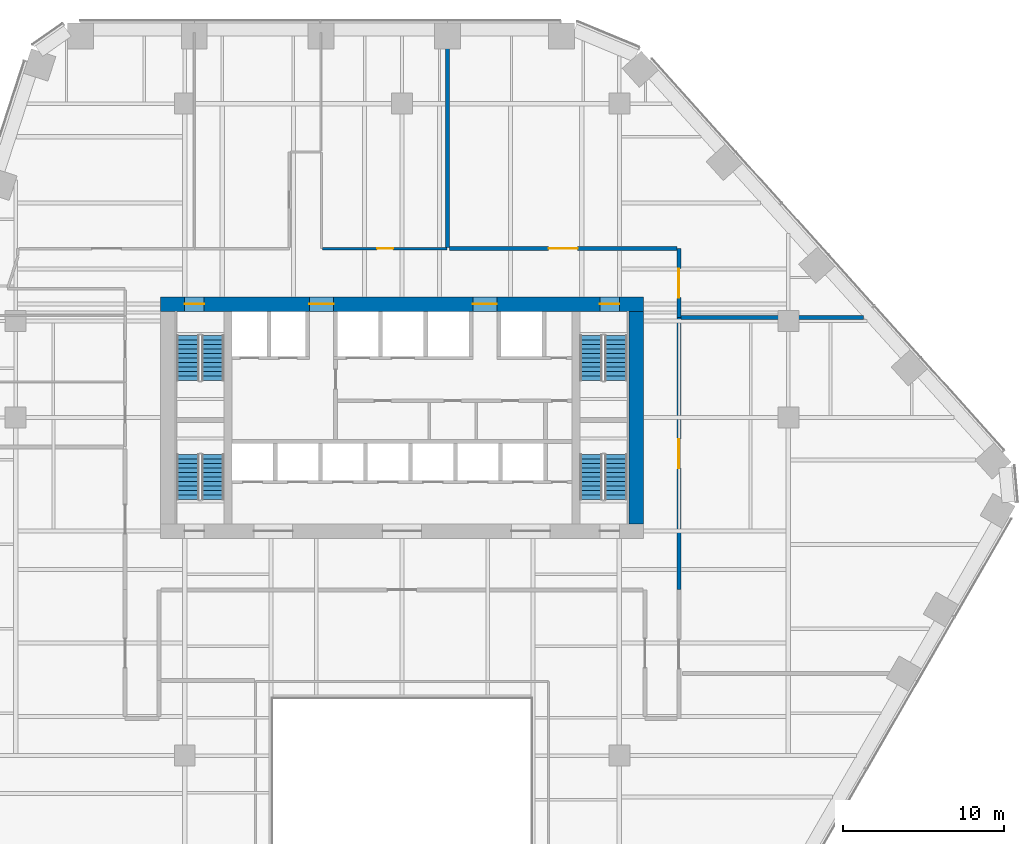
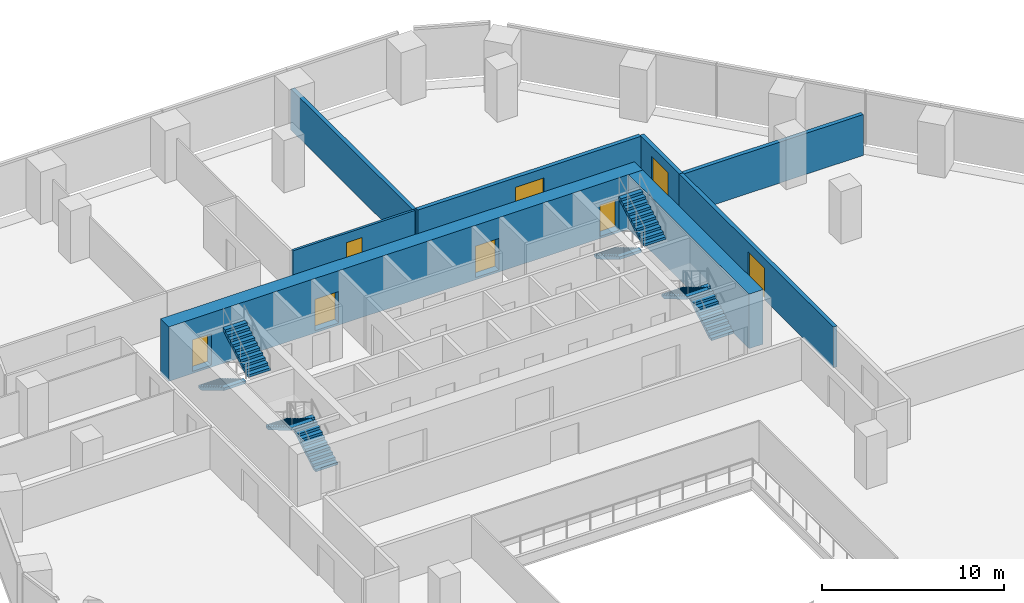
# One storey, part 16 of 19: 8 doors, 8 stair flights, 8 walls, 8 openings, 4 elements without a shape of their own.
"""IFC4 building model written with IfcOpenShell, lengths in metres."""

from ifc_helpers import new_model, si_unit, direction, frame, frame_2d, origin, place, context, subcontext, project, spatial, polyline, rectangle, outline, extrude, material, layer, layer_set, type_object, element, fill, aggregate, save


model = new_model("IFC4")

# Units and contexts
model_context = context("Model", 3, precision=1e-05, world=origin(), true_north=direction((0.0, 1.0)))
body_context = subcontext(model_context, "Body", "Model", "MODEL_VIEW")
ifc_project = project(units=[si_unit("LENGTHUNIT", "METRE"), si_unit("AREAUNIT", "SQUARE_METRE"), si_unit("VOLUMEUNIT", "CUBIC_METRE"), si_unit("PLANEANGLEUNIT", "RADIAN"), si_unit("MASSUNIT", "GRAM", prefix="KILO")], contexts=[model_context])

# Site, building, storey
site_placement = place(None, origin())
site = spatial("IfcSite", under=ifc_project, at=site_placement, CompositionType="ELEMENT")
building_placement = place(site_placement, origin())
building = spatial("IfcBuilding", under=site, at=building_placement, Name="Isthmus Gate Tower", CompositionType="ELEMENT")
storey_placement = place(building_placement, frame((0.0, 0.0, 91.60009765625)))
storey = spatial("IfcBuildingStorey", under=building, at=storey_placement, Name="L21", CompositionType="ELEMENT", Elevation=91.60009765625)

# Wall, opening, door
ifc_material_1 = material(Name="Double-leaf acoustic stud wall, fire-rated", Category="gypsum")
ifc_layer_1 = layer(ifc_material_1, 0.25)
ifc_layer_set_1 = layer_set([ifc_layer_1], Name="ACOUSTIC WALL 250 60 MIN")
wall_type_1 = type_object("IfcWallType", Name="ACOUSTIC WALL 250 60 MIN", PredefinedType="PARTITIONING", material=ifc_layer_set_1)
wall_1_placement = place(storey_placement, frame((17.199951171875, 18.0, 0.0), z_axis=(0.0, 0.0, 1.0), x_axis=(0.0, -1.0, 0.0)))
wall_1 = element("IfcWall", 1, at=wall_1_placement, inside=storey, type_object=wall_type_1, Name="L21 Acoustic Wall 250 60 Min", PredefinedType="PARTITIONING", context=body_context, shape_type="SweptSolid", body=[
    extrude(rectangle(XDim=4.291015625, YDim=0.25, at=frame_2d((2.1455078125, 0.0))), origin(), (0.0, 0.0, 1.0), 2.7412109375),
])
opening_1_placement = place(wall_1_placement, frame((1.24560546875, 0.0, 0.0)))
opening_1 = element("IfcOpeningElement", 2, at=opening_1_placement, cuts=wall_1, Name="Opening DT-T2B-05", PredefinedType="OPENING", context=body_context, shape_type="SweptSolid", body=[
    extrude(rectangle(XDim=1.800048828125, YDim=2.10009765625, at=frame_2d((0.89990234375, 1.050048828125))), frame((0.0, 0.135009765625, 0.0), z_axis=(0.0, -1.0, 0.0), x_axis=(1.0, 0.0, 0.0)), (0.0, 0.0, 1.0), 0.27001953125),
])
ifc_material_2 = material(Name="Solid core timber door leaf, fire-rated", Category="wood")
door_type_1 = type_object("IfcDoorType", Name="FIRE DOOR ACOUSTIC ROOM 1800 X 2100 60 MIN", OperationType="DOUBLE_DOOR_DOUBLE_SWING", PredefinedType="DOOR", material=ifc_material_2)
door_1_placement = place(opening_1_placement, origin())
door_1 = element("IfcDoor", 3, at=door_1_placement, inside=storey, type_object=door_type_1, Name="L21 room door", OperationType="DOUBLE_DOOR_DOUBLE_SWING", OverallHeight=2.10009765625, OverallWidth=1.800048828125, PredefinedType="DOOR", context=body_context, shape_type="SweptSolid", body=[
    extrude(rectangle(XDim=1.800048828125, YDim=2.10009765625, at=frame_2d((0.89990234375, 1.050048828125))), frame((0.0, 0.02490234375, 0.0), z_axis=(0.0, -1.0, 0.0), x_axis=(1.0, 0.0, 0.0)), (0.0, 0.0, 1.0), 0.050048828125),
])
fill(opening_1, door_1)

wall_2_placement = place(storey_placement, frame((17.199951171875, 13.708984375, 0.0), z_axis=(0.0, 0.0, 1.0), x_axis=(0.0, -1.0, 0.0)))
wall_2 = element("IfcWall", 4, at=wall_2_placement, inside=storey, type_object=wall_type_1, Name="L21 Acoustic Wall 250 60 Min", PredefinedType="PARTITIONING", context=body_context, shape_type="SweptSolid", body=[
    extrude(rectangle(XDim=16.89697265625, YDim=0.25, at=frame_2d((8.448486328125, 0.0))), origin(), (0.0, 0.0, 1.0), 2.7412109375),
])
opening_2_placement = place(wall_2_placement, frame((7.548583984375, 0.0, 0.0)))
opening_2 = element("IfcOpeningElement", 5, at=opening_2_placement, cuts=wall_2, Name="Opening DT-T2B-08", PredefinedType="OPENING", context=body_context, shape_type="SweptSolid", body=[
    extrude(rectangle(XDim=1.800048828125, YDim=2.10009765625, at=frame_2d((0.89990234375, 1.050048828125))), frame((0.0, 0.135009765625, 0.0), z_axis=(0.0, -1.0, 0.0), x_axis=(1.0, 0.0, 0.0)), (0.0, 0.0, 1.0), 0.27001953125),
])
door_2_placement = place(opening_2_placement, origin())
door_2 = element("IfcDoor", 6, at=door_2_placement, inside=storey, type_object=door_type_1, Name="L21 room door", OperationType="DOUBLE_DOOR_DOUBLE_SWING", OverallHeight=2.10009765625, OverallWidth=1.800048828125, PredefinedType="DOOR", context=body_context, shape_type="SweptSolid", body=[
    extrude(rectangle(XDim=1.800048828125, YDim=2.10009765625, at=frame_2d((0.89990234375, 1.050048828125))), frame((0.0, 0.02490234375, 0.0), z_axis=(0.0, -1.0, 0.0), x_axis=(1.0, 0.0, 0.0)), (0.0, 0.0, 1.0), 0.050048828125),
])
fill(opening_2, door_2)

# Wall
wall_3_placement = place(storey_placement, frame((2.83203125, 18.074951171875, 0.0), z_axis=(0.0, 0.0, 1.0), x_axis=(0.0, 1.0, 0.0)))
element("IfcWall", 7, at=wall_3_placement, inside=storey, type_object=wall_type_1, Name="L21 Acoustic Wall 250 60 Min", PredefinedType="PARTITIONING", context=body_context, shape_type="SweptSolid", body=[
    extrude(rectangle(XDim=13.324951171875, YDim=0.25, at=frame_2d((6.66259765625, 0.0))), origin(), (0.0, 0.0, 1.0), 2.7412109375),
])

# Wall, opening, door
wall_4_placement = place(storey_placement, frame((2.95703125, 18.0, 0.0), z_axis=(0.0, 0.0, 1.0), x_axis=(1.0, 0.0, 0.0)))
wall_4 = element("IfcWall", 8, at=wall_4_placement, inside=storey, type_object=wall_type_1, Name="L21 Acoustic Wall 250 60 Min", PredefinedType="PARTITIONING", context=body_context, shape_type="SweptSolid", body=[
    extrude(rectangle(XDim=14.117919921875, YDim=0.25, at=frame_2d((7.05908203125, 0.0))), origin(), (0.0, 0.0, 1.0), 2.7412109375),
])
opening_3_placement = place(wall_4_placement, frame((6.158935546875, 0.0, 0.0)))
opening_3 = element("IfcOpeningElement", 9, at=opening_3_placement, cuts=wall_4, Name="Opening DT-T2B-04", PredefinedType="OPENING", context=body_context, shape_type="SweptSolid", body=[
    extrude(rectangle(XDim=1.800048828125, YDim=2.10009765625, at=frame_2d((0.89990234375, 1.050048828125))), frame((0.0, 0.135009765625, 0.0), z_axis=(0.0, -1.0, 0.0), x_axis=(1.0, 0.0, 0.0)), (0.0, 0.0, 1.0), 0.27001953125),
])
door_3_placement = place(opening_3_placement, origin())
door_3 = element("IfcDoor", 10, at=door_3_placement, inside=storey, type_object=door_type_1, Name="L21 room door", OperationType="DOUBLE_DOOR_DOUBLE_SWING", OverallHeight=2.10009765625, OverallWidth=1.800048828125, PredefinedType="DOOR", context=body_context, shape_type="SweptSolid", body=[
    extrude(rectangle(XDim=1.800048828125, YDim=2.10009765625, at=frame_2d((0.89990234375, 1.050048828125))), frame((0.0, 0.02490234375, 0.0), z_axis=(0.0, -1.0, 0.0), x_axis=(1.0, 0.0, 0.0)), (0.0, 0.0, 1.0), 0.050048828125),
])
fill(opening_3, door_3)

# Wall
wall_5_placement = place(storey_placement, frame((17.324951171875, 13.708984375, 0.0), z_axis=(0.0, 0.0, 1.0), x_axis=(1.0, 0.0, 0.0)))
element("IfcWall", 11, at=wall_5_placement, inside=storey, type_object=wall_type_1, Name="L21 Acoustic Wall 250 60 Min", PredefinedType="PARTITIONING", context=body_context, shape_type="SweptSolid", body=[
    extrude(rectangle(XDim=11.343017578125, YDim=0.25, at=frame_2d((5.67138671875, 0.0))), origin(), (0.0, 0.0, 1.0), 2.7412109375),
])

# Wall, opening, door
ifc_material_3 = material(Name="Gypsum board on steel studs, fire-rated", Category="steel")
ifc_layer_2 = layer(ifc_material_3, 0.14990234375)
ifc_layer_set_2 = layer_set([ifc_layer_2], Name="CORRIDOR WALL 150 60 MIN")
wall_type_2 = type_object("IfcWallType", Name="CORRIDOR WALL 150 60 MIN", PredefinedType="PARTITIONING", material=ifc_layer_set_2)
wall_6_placement = place(storey_placement, frame((-4.925048828125, 18.0, 0.0), z_axis=(0.0, 0.0, 1.0), x_axis=(1.0, 0.0, 0.0)))
wall_6 = element("IfcWall", 12, at=wall_6_placement, inside=storey, type_object=wall_type_2, Name="L21 Corridor Wall 150 60 Min", PredefinedType="PARTITIONING", context=body_context, shape_type="SweptSolid", body=[
    extrude(rectangle(XDim=7.70703125, YDim=0.14990234375, at=frame_2d((3.853515625, 0.0))), origin(), (0.0, 0.0, 1.0), 2.7412109375),
])
opening_4_placement = place(wall_6_placement, frame((3.37841796875, 0.0, 0.0)))
opening_4 = element("IfcOpeningElement", 13, at=opening_4_placement, cuts=wall_6, Name="Opening DT-T2B-03", PredefinedType="OPENING", context=body_context, shape_type="SweptSolid", body=[
    extrude(rectangle(XDim=1.0, YDim=2.10009765625, at=frame_2d((0.5, 1.050048828125))), frame((0.0, 0.0849609375, 0.0), z_axis=(0.0, -1.0, 0.0), x_axis=(1.0, 0.0, 0.0)), (0.0, 0.0, 1.0), 0.169921875),
])
ifc_material_4 = material(Name="Solid core timber door leaf, fire-rated", Category="wood")
door_type_2 = type_object("IfcDoorType", Name="FIRE DOOR ROOM 1000 X 2100 60 MIN", OperationType="SINGLE_SWING_LEFT", PredefinedType="DOOR", material=ifc_material_4)
door_4_placement = place(opening_4_placement, origin())
door_4 = element("IfcDoor", 14, at=door_4_placement, inside=storey, type_object=door_type_2, Name="L21 room door", OperationType="SINGLE_SWING_RIGHT", OverallHeight=2.10009765625, OverallWidth=1.0, PredefinedType="DOOR", context=body_context, shape_type="SweptSolid", body=[
    extrude(rectangle(XDim=1.0, YDim=2.10009765625, at=frame_2d((0.5, 1.050048828125))), frame((0.0, 0.02490234375, 0.0), z_axis=(0.0, -1.0, 0.0), x_axis=(1.0, 0.0, 0.0)), (0.0, 0.0, 1.0), 0.050048828125),
])
fill(opening_4, door_4)

# Wall, openings, doors
ifc_material_5 = material(Name="Concrete f'c 70 MPa", Category="concrete")
ifc_layer_3 = layer(ifc_material_5, 0.89990234375)
ifc_layer_set_3 = layer_set([ifc_layer_3], Name="RC CORE WALL 900 F'C 70")
wall_type_3 = type_object("IfcWallType", Name="RC CORE WALL 900 F'C 70", PredefinedType="SOLIDWALL", material=ifc_layer_set_3)
wall_7_placement = place(storey_placement, frame((-15.0, 14.550048828125, -0.150146484375), z_axis=(0.0, 0.0, 1.0), x_axis=(1.0, 0.0, 0.0)))
wall_7 = element("IfcWall", 15, at=wall_7_placement, inside=storey, type_object=wall_type_3, Name="str-corewall-L21-N", PredefinedType="SOLIDWALL", context=body_context, shape_type="SweptSolid", body=[
    extrude(rectangle(XDim=30.0, YDim=0.89990234375, at=frame_2d((15.0, 0.0))), origin(), (0.0, 0.0, 1.0), 3.650146484375),
])
opening_5_placement = place(wall_7_placement, frame((9.25, 0.0, 0.14990234375)))
opening_5 = element("IfcOpeningElement", 16, at=opening_5_placement, cuts=wall_7, Name="Opening DC-A02-11", PredefinedType="OPENING", context=body_context, shape_type="SweptSolid", body=[
    extrude(rectangle(XDim=1.5, YDim=2.10009765625, at=frame_2d((0.75, 1.050048828125))), frame((0.0, 0.4599609375, 0.0), z_axis=(0.0, -1.0, 0.0), x_axis=(1.0, 0.0, 0.0)), (0.0, 0.0, 1.0), 0.919921875),
])
opening_6_placement = place(wall_7_placement, frame((19.39990234375, 0.0, 0.14990234375)))
opening_6 = element("IfcOpeningElement", 17, at=opening_6_placement, cuts=wall_7, Name="Opening DC-A02-12", PredefinedType="OPENING", context=body_context, shape_type="SweptSolid", body=[
    extrude(rectangle(XDim=1.5, YDim=2.10009765625, at=frame_2d((0.75, 1.050048828125))), frame((0.0, 0.4599609375, 0.0), z_axis=(0.0, -1.0, 0.0), x_axis=(1.0, 0.0, 0.0)), (0.0, 0.0, 1.0), 0.919921875),
])
opening_7_placement = place(wall_7_placement, frame((1.5, 0.0, 0.14990234375)))
opening_7 = element("IfcOpeningElement", 18, at=opening_7_placement, cuts=wall_7, Name="Opening DC-A02-13", PredefinedType="OPENING", context=body_context, shape_type="SweptSolid", body=[
    extrude(rectangle(XDim=1.199951171875, YDim=2.10009765625, at=frame_2d((0.60009765625, 1.050048828125))), frame((0.0, 0.4599609375, 0.0), z_axis=(0.0, -1.0, 0.0), x_axis=(1.0, 0.0, 0.0)), (0.0, 0.0, 1.0), 0.919921875),
])
opening_8_placement = place(wall_7_placement, frame((27.300048828125, 0.0, 0.14990234375)))
opening_8 = element("IfcOpeningElement", 19, at=opening_8_placement, cuts=wall_7, Name="Opening DC-A02-14", PredefinedType="OPENING", context=body_context, shape_type="SweptSolid", body=[
    extrude(rectangle(XDim=1.199951171875, YDim=2.10009765625, at=frame_2d((0.60009765625, 1.050048828125))), frame((0.0, 0.4599609375, 0.0), z_axis=(0.0, -1.0, 0.0), x_axis=(1.0, 0.0, 0.0)), (0.0, 0.0, 1.0), 0.919921875),
])
ifc_material_6 = material(Name="Steel door leaf, fire-rated", Category="steel")
door_type_3 = type_object("IfcDoorType", Name="LOBBY FIRE DOOR 1500 X 2100 60 MIN", OperationType="DOUBLE_DOOR_SINGLE_SWING", PredefinedType="DOOR", material=ifc_material_6)
door_5_placement = place(opening_6_placement, origin())
door_5 = element("IfcDoor", 20, at=door_5_placement, inside=storey, type_object=door_type_3, Name="Lobby Door PN-E", OperationType="DOUBLE_DOOR_SINGLE_SWING", OverallHeight=2.10009765625, OverallWidth=1.5, PredefinedType="DOOR", context=body_context, shape_type="SweptSolid", body=[
    extrude(rectangle(XDim=1.5, YDim=2.10009765625, at=frame_2d((0.75, 1.050048828125))), frame((0.0, 0.02490234375, 0.0), z_axis=(0.0, -1.0, 0.0), x_axis=(1.0, 0.0, 0.0)), (0.0, 0.0, 1.0), 0.050048828125),
])
fill(opening_6, door_5)
ifc_material_7 = material(Name="Steel door leaf, fire-rated", Category="steel")
door_type_4 = type_object("IfcDoorType", Name="LOBBY FIRE DOOR 1500 X 2100 90 MIN", OperationType="DOUBLE_DOOR_SINGLE_SWING", PredefinedType="DOOR", material=ifc_material_7)
door_6_placement = place(opening_5_placement, origin())
door_6 = element("IfcDoor", 21, at=door_6_placement, inside=storey, type_object=door_type_4, Name="Lobby Door PN-W", OperationType="DOUBLE_DOOR_SINGLE_SWING", OverallHeight=2.10009765625, OverallWidth=1.5, PredefinedType="DOOR", context=body_context, shape_type="SweptSolid", body=[
    extrude(rectangle(XDim=1.5, YDim=2.10009765625, at=frame_2d((0.75, 1.050048828125))), frame((0.0, 0.02490234375, 0.0), z_axis=(0.0, -1.0, 0.0), x_axis=(1.0, 0.0, 0.0)), (0.0, 0.0, 1.0), 0.050048828125),
])
fill(opening_5, door_6)
ifc_material_8 = material(Name="Steel door leaf, fire-rated", Category="steel")
door_type_5 = type_object("IfcDoorType", Name="STAIR FIRE DOOR 1200 X 2100 90 MIN", OperationType="SINGLE_SWING_LEFT", PredefinedType="DOOR", material=ifc_material_8)
door_7_placement = place(opening_7_placement, origin())
door_7 = element("IfcDoor", 22, at=door_7_placement, inside=storey, type_object=door_type_5, Name="Exit Stair 1 Door", OperationType="SINGLE_SWING_RIGHT", OverallHeight=2.10009765625, OverallWidth=1.199951171875, PredefinedType="DOOR", context=body_context, shape_type="SweptSolid", body=[
    extrude(rectangle(XDim=1.199951171875, YDim=2.10009765625, at=frame_2d((0.60009765625, 1.050048828125))), frame((0.0, 0.02490234375, 0.0), z_axis=(0.0, -1.0, 0.0), x_axis=(1.0, 0.0, 0.0)), (0.0, 0.0, 1.0), 0.050048828125),
])
fill(opening_7, door_7)
door_8_placement = place(opening_8_placement, origin())
door_8 = element("IfcDoor", 23, at=door_8_placement, inside=storey, type_object=door_type_5, Name="Exit Stair 2 Door", OperationType="SINGLE_SWING_LEFT", OverallHeight=2.10009765625, OverallWidth=1.199951171875, PredefinedType="DOOR", context=body_context, shape_type="SweptSolid", body=[
    extrude(rectangle(XDim=1.199951171875, YDim=2.10009765625, at=frame_2d((0.60009765625, 1.050048828125))), frame((0.0, 0.02490234375, 0.0), z_axis=(0.0, -1.0, 0.0), x_axis=(1.0, 0.0, 0.0)), (0.0, 0.0, 1.0), 0.050048828125),
])
fill(opening_8, door_8)

# Wall
wall_8_placement = place(storey_placement, frame((14.550048828125, 0.89990234375, -0.150146484375), z_axis=(0.0, 0.0, 1.0), x_axis=(0.0, 1.0, 0.0)))
element("IfcWall", 24, at=wall_8_placement, inside=storey, type_object=wall_type_3, Name="str-corewall-L21-E", PredefinedType="SOLIDWALL", context=body_context, shape_type="SweptSolid", body=[
    extrude(rectangle(XDim=13.2001953125, YDim=0.89990234375, at=frame_2d((6.60009765625, 0.0))), origin(), (0.0, 0.0, 1.0), 3.650146484375),
])

# Stair, stair flights
ifc_material_9 = material(Name="Concrete f'c 40 MPa", Category="concrete")
stair_type = type_object("IfcStairType", Name="CORE STAIR 22 RISERS", PredefinedType="HALF_TURN_STAIR", material=ifc_material_9)
stair_1_placement = place(storey_placement, origin())
stair_1 = element("IfcStair", 25, at=stair_1_placement, inside=storey, type_object=stair_type, Name="L21 Exit Stair 1", PredefinedType="HALF_TURN_STAIR")
ifc_material_10 = material(Name="Concrete f'c 40 MPa", Category="concrete")
stair_flight_type = type_object("IfcStairFlightType", Name="STAIR FLIGHT RC 1400", PredefinedType="STRAIGHT", material=ifc_material_10)
stair_flight_1_placement = place(storey_placement, frame((-13.300048828125, 12.60009765625, 0.0), z_axis=(0.0, 0.0, 1.0), x_axis=(0.0, -1.0, 0.0)))
stair_flight_1 = element("IfcStairFlight", 26, at=stair_flight_1_placement, type_object=stair_flight_type, Name="ST1 flight 1", NumberOfRisers=11, NumberOfTreads=10, PredefinedType="STRAIGHT", RiserHeight=0.165909091, TreadLength=0.28, context=body_context, shape_type="SweptSolid", body=[
    extrude(outline(polyline([(0.0, 0.0), (0.0, 0.166015625), (0.280029296875, 0.166015625), (0.280029296875, 0.331787109375), (0.56005859375, 0.331787109375), (0.56005859375, 0.497802734375), (0.840087890625, 0.497802734375), (0.840087890625, 0.66357421875), (1.1201171875, 0.66357421875), (1.1201171875, 0.82958984375), (1.39990234375, 0.82958984375), (1.39990234375, 0.995361328125), (1.679931640625, 0.995361328125), (1.679931640625, 1.161376953125), (1.9599609375, 1.161376953125), (1.9599609375, 1.327392578125), (2.239990234375, 1.327392578125), (2.239990234375, 1.4931640625), (2.52001953125, 1.4931640625), (2.52001953125, 1.6591796875), (2.800048828125, 1.6591796875), (2.800048828125, 1.824951171875), (2.800048828125, 1.48486328125), (0.2939453125, 0.0), (0.0, 0.0)])), frame((0.0, 0.699951171875, 0.0), z_axis=(0.0, -1.0, 0.0), x_axis=(1.0, 0.0, 0.0)), (0.0, 0.0, 1.0), 1.39990234375),
])
stair_flight_2_placement = place(storey_placement, frame((-11.75, 9.800048828125, 1.824951171875), z_axis=(0.0, 0.0, 1.0), x_axis=(0.0, 1.0, 0.0)))
stair_flight_2 = element("IfcStairFlight", 27, at=stair_flight_2_placement, type_object=stair_flight_type, Name="ST1 flight 2", NumberOfRisers=11, NumberOfTreads=10, PredefinedType="STRAIGHT", RiserHeight=0.165909091, TreadLength=0.28, context=body_context, shape_type="SweptSolid", body=[
    extrude(outline(polyline([(0.0, 0.0), (0.0, 0.166015625), (0.280029296875, 0.166015625), (0.280029296875, 0.331787109375), (0.56005859375, 0.331787109375), (0.56005859375, 0.497802734375), (0.840087890625, 0.497802734375), (0.840087890625, 0.66357421875), (1.1201171875, 0.66357421875), (1.1201171875, 0.82958984375), (1.39990234375, 0.82958984375), (1.39990234375, 0.995361328125), (1.679931640625, 0.995361328125), (1.679931640625, 1.161376953125), (1.9599609375, 1.161376953125), (1.9599609375, 1.327392578125), (2.239990234375, 1.327392578125), (2.239990234375, 1.4931640625), (2.52001953125, 1.4931640625), (2.52001953125, 1.6591796875), (2.800048828125, 1.6591796875), (2.800048828125, 1.824951171875), (2.800048828125, 1.48486328125), (0.2939453125, 0.0), (0.0, 0.0)])), frame((0.0, 0.699951171875, 0.0), z_axis=(0.0, -1.0, 0.0), x_axis=(1.0, 0.0, 0.0)), (0.0, 0.0, 1.0), 1.39990234375),
])
aggregate(stair_1, [stair_flight_1, stair_flight_2])

stair_2_placement = place(storey_placement, origin())
stair_2 = element("IfcStair", 28, at=stair_2_placement, inside=storey, type_object=stair_type, Name="L21 Exit Stair 2", PredefinedType="HALF_TURN_STAIR")
stair_flight_3_placement = place(storey_placement, frame((11.75, 12.60009765625, 0.0), z_axis=(0.0, 0.0, 1.0), x_axis=(0.0, -1.0, 0.0)))
stair_flight_3 = element("IfcStairFlight", 29, at=stair_flight_3_placement, type_object=stair_flight_type, Name="ST2 flight 1", NumberOfRisers=11, NumberOfTreads=10, PredefinedType="STRAIGHT", RiserHeight=0.165909091, TreadLength=0.28, context=body_context, shape_type="SweptSolid", body=[
    extrude(outline(polyline([(0.0, 0.0), (0.0, 0.166015625), (0.280029296875, 0.166015625), (0.280029296875, 0.331787109375), (0.56005859375, 0.331787109375), (0.56005859375, 0.497802734375), (0.840087890625, 0.497802734375), (0.840087890625, 0.66357421875), (1.1201171875, 0.66357421875), (1.1201171875, 0.82958984375), (1.39990234375, 0.82958984375), (1.39990234375, 0.995361328125), (1.679931640625, 0.995361328125), (1.679931640625, 1.161376953125), (1.9599609375, 1.161376953125), (1.9599609375, 1.327392578125), (2.239990234375, 1.327392578125), (2.239990234375, 1.4931640625), (2.52001953125, 1.4931640625), (2.52001953125, 1.6591796875), (2.800048828125, 1.6591796875), (2.800048828125, 1.824951171875), (2.800048828125, 1.48486328125), (0.2939453125, 0.0), (0.0, 0.0)])), frame((0.0, 0.699951171875, 0.0), z_axis=(0.0, -1.0, 0.0), x_axis=(1.0, 0.0, 0.0)), (0.0, 0.0, 1.0), 1.39990234375),
])
stair_flight_4_placement = place(storey_placement, frame((13.300048828125, 9.800048828125, 1.824951171875), z_axis=(0.0, 0.0, 1.0), x_axis=(0.0, 1.0, 0.0)))
stair_flight_4 = element("IfcStairFlight", 30, at=stair_flight_4_placement, type_object=stair_flight_type, Name="ST2 flight 2", NumberOfRisers=11, NumberOfTreads=10, PredefinedType="STRAIGHT", RiserHeight=0.165909091, TreadLength=0.28, context=body_context, shape_type="SweptSolid", body=[
    extrude(outline(polyline([(0.0, 0.0), (0.0, 0.166015625), (0.280029296875, 0.166015625), (0.280029296875, 0.331787109375), (0.56005859375, 0.331787109375), (0.56005859375, 0.497802734375), (0.840087890625, 0.497802734375), (0.840087890625, 0.66357421875), (1.1201171875, 0.66357421875), (1.1201171875, 0.82958984375), (1.39990234375, 0.82958984375), (1.39990234375, 0.995361328125), (1.679931640625, 0.995361328125), (1.679931640625, 1.161376953125), (1.9599609375, 1.161376953125), (1.9599609375, 1.327392578125), (2.239990234375, 1.327392578125), (2.239990234375, 1.4931640625), (2.52001953125, 1.4931640625), (2.52001953125, 1.6591796875), (2.800048828125, 1.6591796875), (2.800048828125, 1.824951171875), (2.800048828125, 1.48486328125), (0.2939453125, 0.0), (0.0, 0.0)])), frame((0.0, 0.699951171875, 0.0), z_axis=(0.0, -1.0, 0.0), x_axis=(1.0, 0.0, 0.0)), (0.0, 0.0, 1.0), 1.39990234375),
])
aggregate(stair_2, [stair_flight_3, stair_flight_4])

stair_3_placement = place(storey_placement, origin())
stair_3 = element("IfcStair", 31, at=stair_3_placement, inside=storey, type_object=stair_type, Name="L21 Exit Stair 7", PredefinedType="HALF_TURN_STAIR")
stair_flight_5_placement = place(storey_placement, frame((-11.75, 2.39990234375, 0.0), z_axis=(0.0, 0.0, 1.0), x_axis=(0.0, 1.0, 0.0)))
stair_flight_5 = element("IfcStairFlight", 32, at=stair_flight_5_placement, type_object=stair_flight_type, Name="ST7 flight 1", NumberOfRisers=11, NumberOfTreads=10, PredefinedType="STRAIGHT", RiserHeight=0.165909091, TreadLength=0.28, context=body_context, shape_type="SweptSolid", body=[
    extrude(outline(polyline([(0.0, 0.0), (0.0, 0.166015625), (0.280029296875, 0.166015625), (0.280029296875, 0.331787109375), (0.56005859375, 0.331787109375), (0.56005859375, 0.497802734375), (0.840087890625, 0.497802734375), (0.840087890625, 0.66357421875), (1.1201171875, 0.66357421875), (1.1201171875, 0.82958984375), (1.39990234375, 0.82958984375), (1.39990234375, 0.995361328125), (1.679931640625, 0.995361328125), (1.679931640625, 1.161376953125), (1.9599609375, 1.161376953125), (1.9599609375, 1.327392578125), (2.239990234375, 1.327392578125), (2.239990234375, 1.4931640625), (2.52001953125, 1.4931640625), (2.52001953125, 1.6591796875), (2.800048828125, 1.6591796875), (2.800048828125, 1.824951171875), (2.800048828125, 1.48486328125), (0.2939453125, 0.0), (0.0, 0.0)])), frame((0.0, 0.699951171875, 0.0), z_axis=(0.0, -1.0, 0.0), x_axis=(1.0, 0.0, 0.0)), (0.0, 0.0, 1.0), 1.39990234375),
])
stair_flight_6_placement = place(storey_placement, frame((-13.300048828125, 5.199951171875, 1.824951171875), z_axis=(0.0, 0.0, 1.0), x_axis=(0.0, -1.0, 0.0)))
stair_flight_6 = element("IfcStairFlight", 33, at=stair_flight_6_placement, type_object=stair_flight_type, Name="ST7 flight 2", NumberOfRisers=11, NumberOfTreads=10, PredefinedType="STRAIGHT", RiserHeight=0.165909091, TreadLength=0.28, context=body_context, shape_type="SweptSolid", body=[
    extrude(outline(polyline([(0.0, 0.0), (0.0, 0.166015625), (0.280029296875, 0.166015625), (0.280029296875, 0.331787109375), (0.56005859375, 0.331787109375), (0.56005859375, 0.497802734375), (0.840087890625, 0.497802734375), (0.840087890625, 0.66357421875), (1.1201171875, 0.66357421875), (1.1201171875, 0.82958984375), (1.39990234375, 0.82958984375), (1.39990234375, 0.995361328125), (1.679931640625, 0.995361328125), (1.679931640625, 1.161376953125), (1.9599609375, 1.161376953125), (1.9599609375, 1.327392578125), (2.239990234375, 1.327392578125), (2.239990234375, 1.4931640625), (2.52001953125, 1.4931640625), (2.52001953125, 1.6591796875), (2.800048828125, 1.6591796875), (2.800048828125, 1.824951171875), (2.800048828125, 1.48486328125), (0.2939453125, 0.0), (0.0, 0.0)])), frame((0.0, 0.699951171875, 0.0), z_axis=(0.0, -1.0, 0.0), x_axis=(1.0, 0.0, 0.0)), (0.0, 0.0, 1.0), 1.39990234375),
])
aggregate(stair_3, [stair_flight_5, stair_flight_6])

stair_4_placement = place(storey_placement, origin())
stair_4 = element("IfcStair", 34, at=stair_4_placement, inside=storey, type_object=stair_type, Name="L21 Exit Stair 8", PredefinedType="HALF_TURN_STAIR")
stair_flight_7_placement = place(storey_placement, frame((13.300048828125, 2.39990234375, 0.0), z_axis=(0.0, 0.0, 1.0), x_axis=(0.0, 1.0, 0.0)))
stair_flight_7 = element("IfcStairFlight", 35, at=stair_flight_7_placement, type_object=stair_flight_type, Name="ST8 flight 1", NumberOfRisers=11, NumberOfTreads=10, PredefinedType="STRAIGHT", RiserHeight=0.165909091, TreadLength=0.28, context=body_context, shape_type="SweptSolid", body=[
    extrude(outline(polyline([(0.0, 0.0), (0.0, 0.166015625), (0.280029296875, 0.166015625), (0.280029296875, 0.331787109375), (0.56005859375, 0.331787109375), (0.56005859375, 0.497802734375), (0.840087890625, 0.497802734375), (0.840087890625, 0.66357421875), (1.1201171875, 0.66357421875), (1.1201171875, 0.82958984375), (1.39990234375, 0.82958984375), (1.39990234375, 0.995361328125), (1.679931640625, 0.995361328125), (1.679931640625, 1.161376953125), (1.9599609375, 1.161376953125), (1.9599609375, 1.327392578125), (2.239990234375, 1.327392578125), (2.239990234375, 1.4931640625), (2.52001953125, 1.4931640625), (2.52001953125, 1.6591796875), (2.800048828125, 1.6591796875), (2.800048828125, 1.824951171875), (2.800048828125, 1.48486328125), (0.2939453125, 0.0), (0.0, 0.0)])), frame((0.0, 0.699951171875, 0.0), z_axis=(0.0, -1.0, 0.0), x_axis=(1.0, 0.0, 0.0)), (0.0, 0.0, 1.0), 1.39990234375),
])
stair_flight_8_placement = place(storey_placement, frame((11.75, 5.199951171875, 1.824951171875), z_axis=(0.0, 0.0, 1.0), x_axis=(0.0, -1.0, 0.0)))
stair_flight_8 = element("IfcStairFlight", 36, at=stair_flight_8_placement, type_object=stair_flight_type, Name="ST8 flight 2", NumberOfRisers=11, NumberOfTreads=10, PredefinedType="STRAIGHT", RiserHeight=0.165909091, TreadLength=0.28, context=body_context, shape_type="SweptSolid", body=[
    extrude(outline(polyline([(0.0, 0.0), (0.0, 0.166015625), (0.280029296875, 0.166015625), (0.280029296875, 0.331787109375), (0.56005859375, 0.331787109375), (0.56005859375, 0.497802734375), (0.840087890625, 0.497802734375), (0.840087890625, 0.66357421875), (1.1201171875, 0.66357421875), (1.1201171875, 0.82958984375), (1.39990234375, 0.82958984375), (1.39990234375, 0.995361328125), (1.679931640625, 0.995361328125), (1.679931640625, 1.161376953125), (1.9599609375, 1.161376953125), (1.9599609375, 1.327392578125), (2.239990234375, 1.327392578125), (2.239990234375, 1.4931640625), (2.52001953125, 1.4931640625), (2.52001953125, 1.6591796875), (2.800048828125, 1.6591796875), (2.800048828125, 1.824951171875), (2.800048828125, 1.48486328125), (0.2939453125, 0.0), (0.0, 0.0)])), frame((0.0, 0.699951171875, 0.0), z_axis=(0.0, -1.0, 0.0), x_axis=(1.0, 0.0, 0.0)), (0.0, 0.0, 1.0), 1.39990234375),
])
aggregate(stair_4, [stair_flight_7, stair_flight_8])

save(model, "model.ifc")
